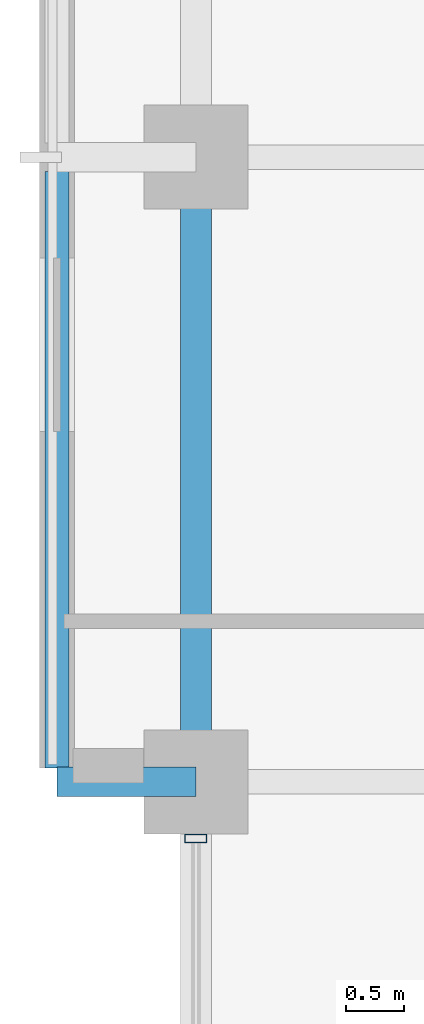
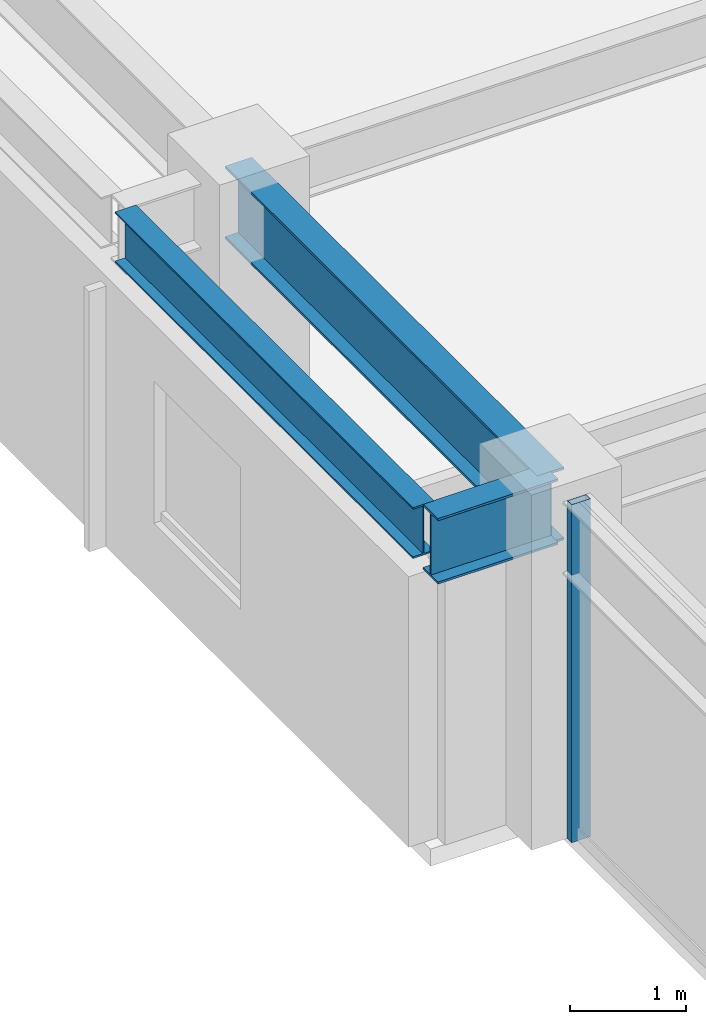
# One storey, part 10 of 32: 3 beams, 1 member, 1 element without a shape of its own.
"""IFC4 building model written with IfcOpenShell, lengths in metres."""

from ifc_helpers import new_model, si_unit, direction, frame, origin, origin_2d, place, context, subcontext, project, spatial, hollow_rectangle, i_section, extrude, material, layer, layer_set, material_profile, profile_set, type_object, element, aggregate, save


model = new_model("IFC4")

# Units and contexts
model_context = context("Model", 3, precision=1e-05, world=origin(), true_north=direction((0.0, 1.0)))
body_context = subcontext(model_context, "Body", "Model", "MODEL_VIEW")
ifc_project = project(units=[si_unit("LENGTHUNIT", "METRE"), si_unit("AREAUNIT", "SQUARE_METRE"), si_unit("VOLUMEUNIT", "CUBIC_METRE"), si_unit("PLANEANGLEUNIT", "RADIAN"), si_unit("MASSUNIT", "GRAM", prefix="KILO")], contexts=[model_context])

# Site, building, storey
site_placement = place(None, origin())
site = spatial("IfcSite", under=ifc_project, at=site_placement, CompositionType="ELEMENT")
building_placement = place(site_placement, origin())
building = spatial("IfcBuilding", under=site, at=building_placement, Name="Surkhivell Harbour Commons", CompositionType="ELEMENT")
storey_placement = place(building_placement, frame((0.0, 0.0, 186.0)))
storey = spatial("IfcBuildingStorey", under=building, at=storey_placement, Name="L48", CompositionType="ELEMENT", Elevation=186.0)

# Beams
ifc_material_1 = material(Name="Steel S460", Category="steel")
ifc_material_profile_1 = material_profile(ifc_material_1, i_section(OverallWidth=0.256103515625, OverallDepth=0.693115234375, WebThickness=0.014404296875, FlangeThickness=0.023681640625, at=origin_2d()), Name="UB686x254x170")
ifc_profile_set_1 = profile_set([ifc_material_profile_1], Name="Steel S460")
beam_type_1 = type_object("IfcBeamType", Name="BM-CNT-686", PredefinedType="BEAM", material=ifc_profile_set_1)
beam_1_placement = place(storey_placement, frame((-27.0, 5.39990234375, 3.223388671875), z_axis=(-1.0, 0.0, 0.0), x_axis=(0.0, -1.0, 0.0)))
element("IfcBeam", 1, at=beam_1_placement, inside=storey, type_object=beam_type_1, Name="L48 Box Cantilever Outrigger (-27.0,5.4)", PredefinedType="BEAM", context=body_context, shape_type="SweptSolid", body=[
    extrude(i_section(OverallWidth=0.256103515625, OverallDepth=0.693115234375, WebThickness=0.014404296875, FlangeThickness=0.023681640625, at=origin_2d()), origin(), (0.0, 0.0, 1.0), 1.199951171875),
])
ifc_material_2 = material(Name="Steel S355", Category="steel")
ifc_material_profile_2 = material_profile(ifc_material_2, i_section(OverallWidth=0.2099609375, OverallDepth=0.537109375, WebThickness=0.0107421875, FlangeThickness=0.017333984375, at=origin_2d()), Name="UB533x210x101")
ifc_profile_set_2 = profile_set([ifc_material_profile_2], Name="Steel S355")
beam_type_2 = type_object("IfcBeamType", Name="BM-GRD-533B", PredefinedType="BEAM", material=ifc_profile_set_2)
beam_2_placement = place(storey_placement, frame((-28.199951171875, 5.52197265625, 3.301513671875), z_axis=(0.0, 1.0, 0.0), x_axis=(-1.0, 0.0, 0.0)))
element("IfcBeam", 2, at=beam_2_placement, inside=storey, type_object=beam_type_2, Name="L48 Box Rim Spandrel (-28.2,5.4)", PredefinedType="BEAM", context=body_context, shape_type="SweptSolid", body=[
    extrude(i_section(OverallWidth=0.2099609375, OverallDepth=0.537109375, WebThickness=0.0107421875, FlangeThickness=0.017333984375, at=origin_2d()), origin(), (0.0, 0.0, 1.0), 5.156005859375),
])
ifc_material_profile_3 = material_profile(ifc_material_2, i_section(OverallWidth=0.26806640625, OverallDepth=0.77001953125, WebThickness=0.015625, FlangeThickness=0.025390625, at=origin_2d()), Name="UB762x267x197")
ifc_profile_set_3 = profile_set([ifc_material_profile_3], Name="Steel S355")
beam_type_3 = type_object("IfcBeamType", Name="BM-SPN-762", PredefinedType="SPANDREL", material=ifc_profile_set_3)
beam_3_placement = place(storey_placement, frame((-27.0, 5.39990234375, 3.18505859375), z_axis=(0.0, 1.0, 0.0), x_axis=(-1.0, 0.0, 0.0)))
element("IfcBeam", 3, at=beam_3_placement, inside=storey, type_object=beam_type_3, Name="L48 Tube Spandrel (-27.0,5.4)", PredefinedType="SPANDREL", context=body_context, shape_type="SweptSolid", body=[
    extrude(i_section(OverallWidth=0.26806640625, OverallDepth=0.77001953125, WebThickness=0.015625, FlangeThickness=0.025390625, at=origin_2d()), origin(), (0.0, 0.0, 1.0), 5.400146484375),
])

# Curtain wall, member
ifc_material_3 = material(Name="Anodised pale-metal aluminium and insulated glazing", Category="aluminium")
ifc_layer = layer(ifc_material_3, 0.18994140625)
ifc_layer_set = layer_set([ifc_layer], Name="Anodised pale-metal aluminium and insulated glazing")
curtain_wall_type = type_object("IfcCurtainWallType", Name="CW-SYS-Z3", PredefinedType="NOTDEFINED", material=ifc_layer_set)
curtain_wall_placement = place(storey_placement, origin())
curtain_wall = element("IfcCurtainWall", 4, at=curtain_wall_placement, inside=storey, type_object=curtain_wall_type, Name="L48 Curtain Wall CW-L48-E12R1S1", PredefinedType="NOTDEFINED")
ifc_material_4 = material(Name="Anodised pale-metal aluminium alloy 6063-T6", Category="aluminium")
ifc_material_profile_4 = material_profile(ifc_material_4, hollow_rectangle(XDim=0.074951171875, YDim=0.18994140625, WallThickness=0.00390625, at=origin_2d()), Name="ALU-MULL-75x190")
ifc_profile_set_4 = profile_set([ifc_material_profile_4], Name="Anodised pale-metal aluminium alloy 6063-T6")
member_type = type_object("IfcMemberType", Name="CWM-190", PredefinedType="MULLION", material=ifc_profile_set_4)
member_placement = place(storey_placement, frame((-27.0, 4.910400390625, 0.0), z_axis=(0.0, 0.0, 1.0), x_axis=(0.0, 1.0, 0.0)))
member = element("IfcMember", 5, at=member_placement, type_object=member_type, Name="CW-Z3 mullion 4", PredefinedType="MULLION", context=body_context, shape_type="SweptSolid", body=[
    extrude(hollow_rectangle(XDim=0.074951171875, YDim=0.18994140625, WallThickness=0.00390625, at=origin_2d()), origin(), (0.0, 0.0, 1.0), 3.570068359375),
])
aggregate(curtain_wall, [member])

save(model, "model.ifc")
